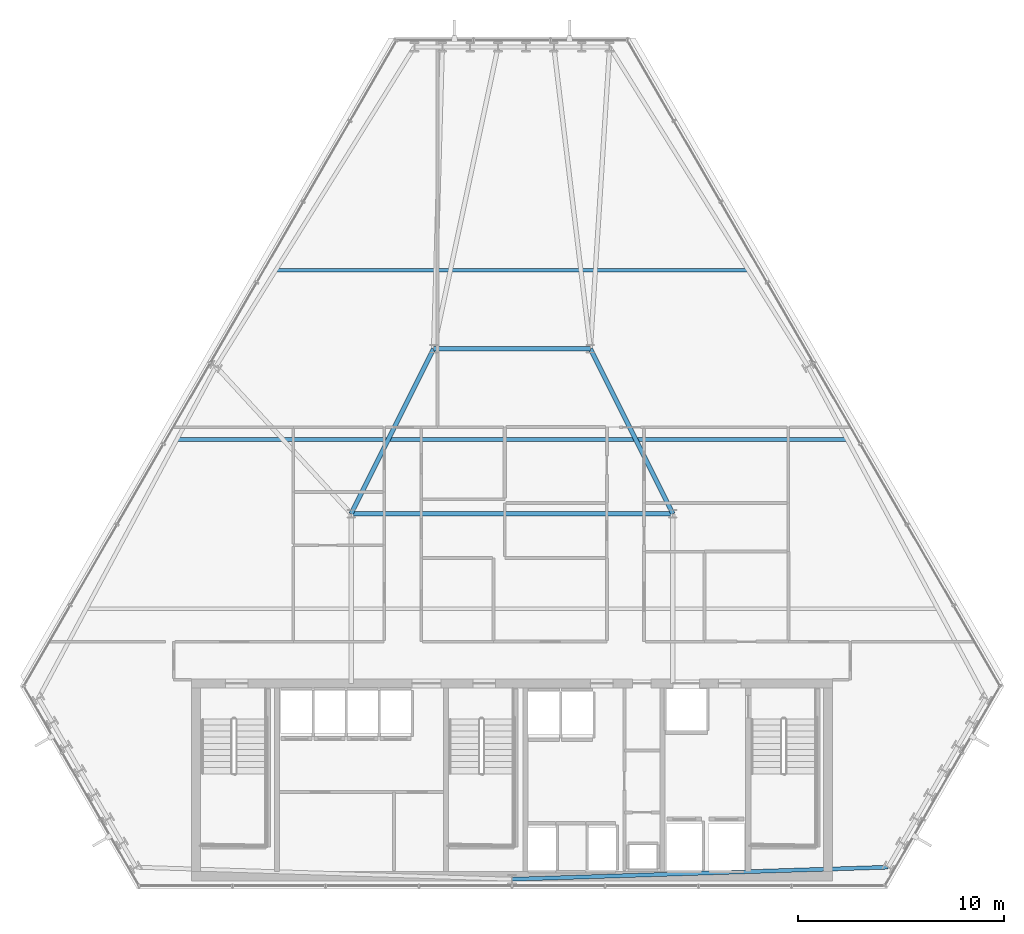
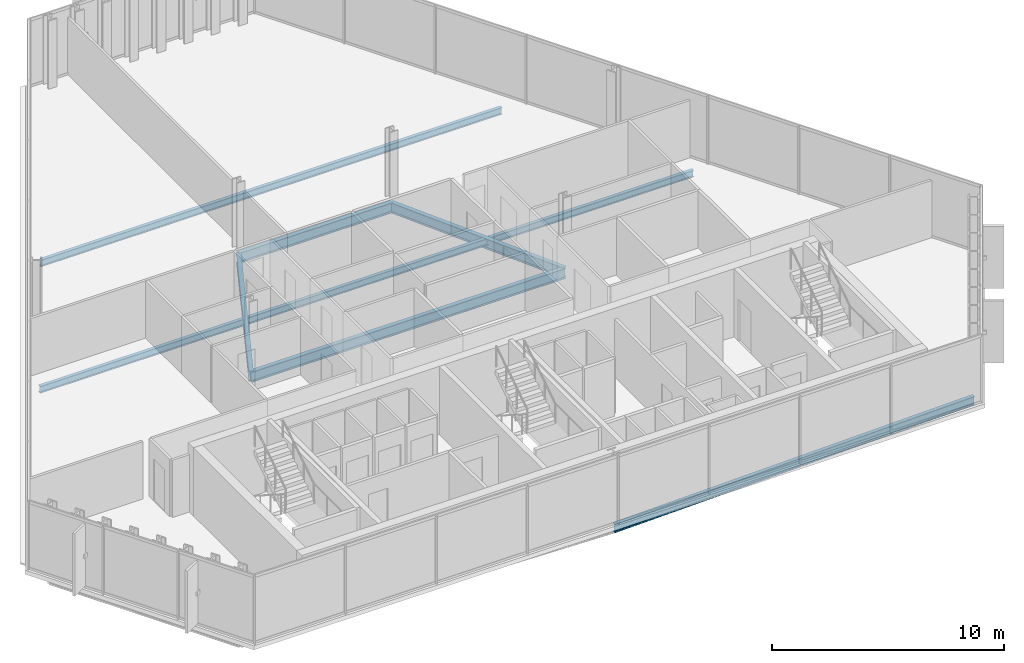
# One storey, part 15 of 33: 7 beams.
"""IFC4 building model written with IfcOpenShell, lengths in metres."""

from ifc_helpers import new_model, si_unit, direction, frame, origin, origin_2d, place, context, subcontext, project, spatial, i_section, extrude, material, material_profile, profile_set, type_object, element, save


model = new_model("IFC4")

# Units and contexts
model_context = context("Model", 3, precision=1e-05, world=origin(), true_north=direction((0.0, 1.0)))
body_context = subcontext(model_context, "Body", "Model", "MODEL_VIEW")
ifc_project = project(units=[si_unit("LENGTHUNIT", "METRE"), si_unit("AREAUNIT", "SQUARE_METRE"), si_unit("VOLUMEUNIT", "CUBIC_METRE"), si_unit("PLANEANGLEUNIT", "RADIAN"), si_unit("MASSUNIT", "GRAM", prefix="KILO")], contexts=[model_context])

# Site, building, storey
site_placement = place(None, origin())
site = spatial("IfcSite", under=ifc_project, at=site_placement, CompositionType="ELEMENT")
building_placement = place(site_placement, origin())
building = spatial("IfcBuilding", under=site, at=building_placement, Name="Ndaravel Arena Tower", CompositionType="ELEMENT")
storey_placement = place(building_placement, frame((0.0, 0.0, 149.800048828125)))
storey = spatial("IfcBuildingStorey", under=building, at=storey_placement, Name="L35", CompositionType="ELEMENT", Elevation=149.800048828125)

# Beams
ifc_material_1 = material(Name="Steel S355", Category="steel")
ifc_material_profile_1 = material_profile(ifc_material_1, i_section(OverallWidth=0.210693359375, OverallDepth=0.53955078125, WebThickness=0.01171875, FlangeThickness=0.018798828125, FilletRadius=0.0126953125, at=origin_2d()), Name="UB 533x210x109")
ifc_profile_set_1 = profile_set([ifc_material_profile_1], Name="Steel S355")
beam_type_1 = type_object("IfcBeamType", Name="BM-GIRD-UB533", PredefinedType="BEAM", material=ifc_profile_set_1)
beam_1_placement = place(storey_placement, frame((34.199951171875, 23.199951171875, -0.48974609375), z_axis=(1.0, 0.0, 0.0), x_axis=(0.0, 1.0, 0.0)))
element("IfcBeam", 1, at=beam_1_placement, inside=storey, type_object=beam_type_1, Name="L35 Spine Link Girder SLG-03", PredefinedType="BEAM", context=body_context, shape_type="SweptSolid", body=[
    extrude(i_section(OverallWidth=0.210693359375, OverallDepth=0.53955078125, WebThickness=0.01171875, FlangeThickness=0.018798828125, FilletRadius=0.0126953125, at=origin_2d()), origin(), (0.0, 0.0, 1.0), 15.60009765625),
])
for number, where, z_axis, x_axis, name in (
    (2, (34.199951171875, 23.199951171875, -0.48974609375), (0.4472135955, 0.894427191, 0.0), (-0.894427191, 0.4472135955, 0.0), "L35 Spine Link Girder SLG-04"),
    (3, (49.800048828125, 23.199951171875, -0.48974609375), (-0.4472135955, 0.894427191, 0.0), (-0.894427191, -0.4472135955, 0.0), "L35 Spine Link Girder SLG-05"),
):
    element("IfcBeam", number, at=place(storey_placement, frame(where, z_axis=z_axis, x_axis=x_axis)), inside=storey, type_object=beam_type_1, Name=name, PredefinedType="BEAM", context=body_context, shape_type="SweptSolid", body=[
        extrude(i_section(OverallWidth=0.210693359375, OverallDepth=0.53955078125, WebThickness=0.01171875, FlangeThickness=0.018798828125, FilletRadius=0.0126953125, at=origin_2d()), origin(), (0.0, 0.0, 1.0), 8.9443359375),
    ])
beam_2_placement = place(storey_placement, frame((38.199951171875, 31.199951171875, -0.48974609375), z_axis=(1.0, 0.0, 0.0), x_axis=(0.0, 1.0, 0.0)))
element("IfcBeam", 4, at=beam_2_placement, inside=storey, type_object=beam_type_1, Name="L35 Spine Link Girder SLG-06", PredefinedType="BEAM", context=body_context, shape_type="SweptSolid", body=[
    extrude(i_section(OverallWidth=0.210693359375, OverallDepth=0.53955078125, WebThickness=0.01171875, FlangeThickness=0.018798828125, FilletRadius=0.0126953125, at=origin_2d()), origin(), (0.0, 0.0, 1.0), 7.60009765625),
])
ifc_material_2 = material(Name="Steel S355", Category="steel")
ifc_material_profile_2 = material_profile(ifc_material_2, i_section(OverallWidth=0.172119140625, OverallDepth=0.35791015625, WebThickness=0.008056640625, FlangeThickness=0.012939453125, FilletRadius=0.01025390625, at=origin_2d()), Name="UB 356x171x57")
ifc_profile_set_2 = profile_set([ifc_material_profile_2], Name="Steel S355")
beam_type_2 = type_object("IfcBeamType", Name="BM-JOIST-UB356", PredefinedType="JOIST", material=ifc_profile_set_2)
beam_3_placement = place(storey_placement, frame((25.75244140625, 26.800048828125, -0.399169921875), z_axis=(1.0, 0.0, 0.0), x_axis=(0.0, 1.0, 0.0)))
element("IfcBeam", 5, at=beam_3_placement, inside=storey, type_object=beam_type_2, Name="L35 Composite Floor Joist FJ-02", PredefinedType="JOIST", context=body_context, shape_type="SweptSolid", body=[
    extrude(i_section(OverallWidth=0.172119140625, OverallDepth=0.35791015625, WebThickness=0.008056640625, FlangeThickness=0.012939453125, FilletRadius=0.01025390625, at=origin_2d()), origin(), (0.0, 0.0, 1.0), 32.4951171875),
])
beam_4_placement = place(storey_placement, frame((30.541259765625, 35.0, -0.399169921875), z_axis=(1.0, 0.0, 0.0), x_axis=(0.0, 1.0, 0.0)))
element("IfcBeam", 6, at=beam_4_placement, inside=storey, type_object=beam_type_2, Name="L35 Composite Floor Joist FJ-03", PredefinedType="JOIST", context=body_context, shape_type="SweptSolid", body=[
    extrude(i_section(OverallWidth=0.172119140625, OverallDepth=0.35791015625, WebThickness=0.008056640625, FlangeThickness=0.012939453125, FilletRadius=0.01025390625, at=origin_2d()), origin(), (0.0, 0.0, 1.0), 22.91748046875),
])
ifc_material_3 = material(Name="Steel S355", Category="steel")
ifc_material_profile_3 = material_profile(ifc_material_3, i_section(OverallWidth=0.18994140625, OverallDepth=0.449951171875, WebThickness=0.009521484375, FlangeThickness=0.0146484375, FilletRadius=0.02099609375, at=origin_2d()), Name="IPE 450")
ifc_profile_set_3 = profile_set([ifc_material_profile_3], Name="Steel S355")
beam_type_3 = type_object("IfcBeamType", Name="BM-SPAN-IPE450", PredefinedType="SPANDREL", material=ifc_profile_set_3)
beam_5_placement = place(storey_placement, frame((42.0, 5.47998046875, -0.445068359375), z_axis=(0.999485097772, 0.032086435317, 0.0), x_axis=(-0.032086435317, 0.999485097772, 0.0)))
element("IfcBeam", 7, at=beam_5_placement, inside=storey, type_object=beam_type_3, Name="L35 Perimeter Spandrel Beam SP-01", PredefinedType="SPANDREL", context=body_context, shape_type="SweptSolid", body=[
    extrude(i_section(OverallWidth=0.18994140625, OverallDepth=0.449951171875, WebThickness=0.009521484375, FlangeThickness=0.0146484375, FilletRadius=0.02099609375, at=origin_2d()), origin(), (0.0, 0.0, 1.0), 18.23828125),
])

save(model, "model.ifc")
